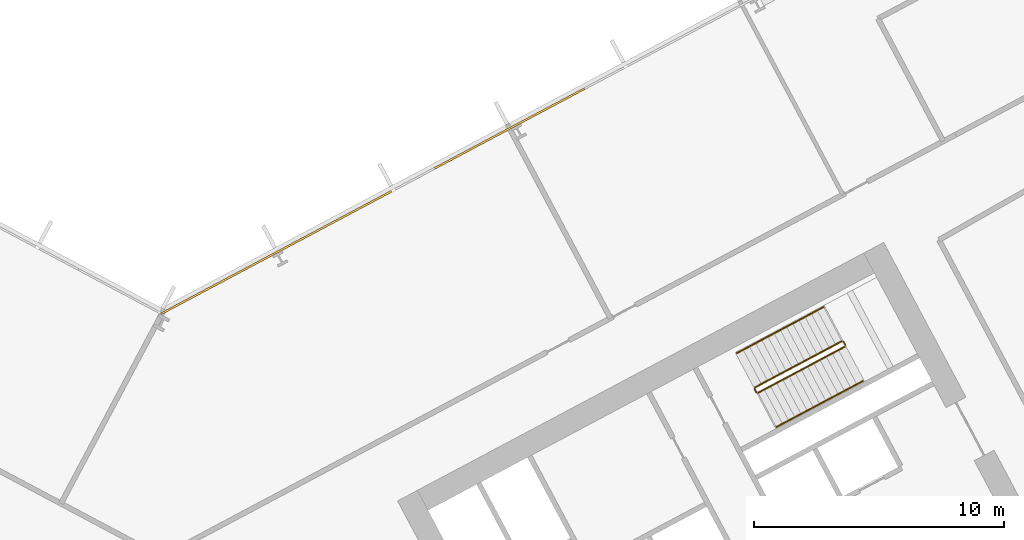
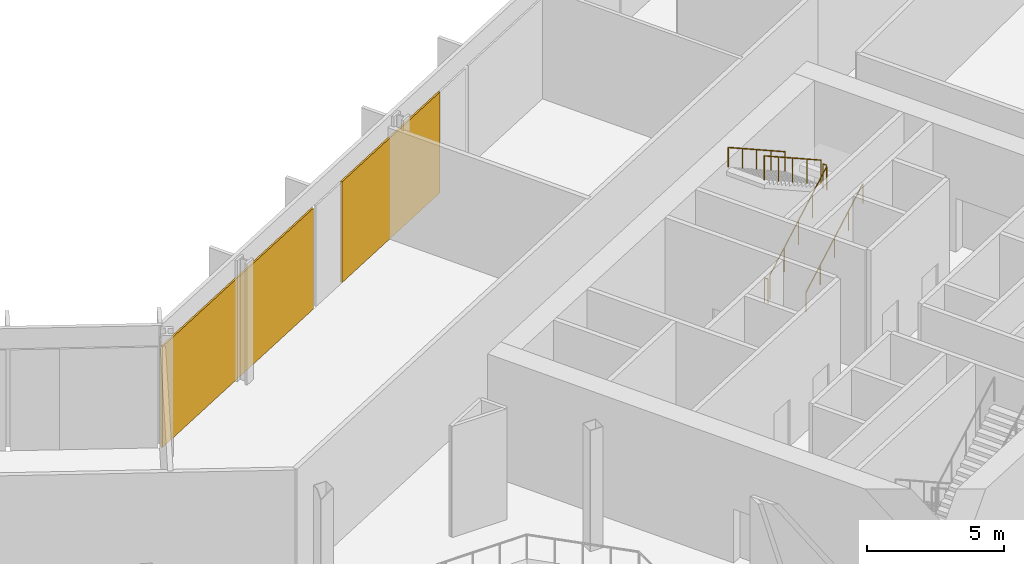
# One storey, part 28 of 30: 6 railings, 2 coverings, 1 element without a shape of its own.
"""IFC4 building model written with IfcOpenShell, lengths in metres."""

from ifc_helpers import new_model, si_unit, direction, frame, origin, origin_2d, place, context, subcontext, project, spatial, polyline, rectangle, outline, extrude, material, layer, layer_set, type_object, element, aggregate, save


model = new_model("IFC4")

# Units and contexts
model_context = context("Model", 3, precision=1e-05, world=origin(), true_north=direction((0.0, 1.0)))
body_context = subcontext(model_context, "Body", "Model", "MODEL_VIEW")
ifc_project = project(units=[si_unit("LENGTHUNIT", "METRE"), si_unit("AREAUNIT", "SQUARE_METRE"), si_unit("VOLUMEUNIT", "CUBIC_METRE"), si_unit("PLANEANGLEUNIT", "RADIAN"), si_unit("MASSUNIT", "GRAM", prefix="KILO")], contexts=[model_context])

# Site, building, storey
site_placement = place(None, origin())
site = spatial("IfcSite", under=ifc_project, at=site_placement, CompositionType="ELEMENT")
building_placement = place(site_placement, origin())
building = spatial("IfcBuilding", under=site, at=building_placement, Name="Cormorant Relay Tower", CompositionType="ELEMENT")
storey_placement = place(building_placement, frame((0.0, 0.0, 55.39990234375)))
storey = spatial("IfcBuildingStorey", under=building, at=storey_placement, Name="L10", CompositionType="ELEMENT", Elevation=55.39990234375)

# Curtain wall, coverings
ifc_material_1 = material(Name="Aluminium 6063-T6 anodised bronze", Category="aluminium")
ifc_layer_1 = layer(ifc_material_1, 0.235107421875)
ifc_layer_set_1 = layer_set([ifc_layer_1], Name="CW6 data hall curtain wall with mineral wool panels")
curtain_wall_type = type_object("IfcCurtainWallType", Name="CW6 data hall curtain wall with mineral wool panels", PredefinedType="NOTDEFINED", material=ifc_layer_set_1)
curtain_wall_placement = place(storey_placement, origin())
curtain_wall = element("IfcCurtainWall", 1, at=curtain_wall_placement, inside=storey, type_object=curtain_wall_type, Name="CW6 curtain wall 6", PredefinedType="NOTDEFINED")
ifc_material_2 = material(Name="Mineral wool cored anodised bronze aluminium cassette panel", Category="aluminium")
ifc_layer_2 = layer(ifc_material_2, 0.074951171875)
ifc_layer_set_2 = layer_set([ifc_layer_2], Name="CW6 mineral wool cassette panel 75")
covering_type = type_object("IfcCoveringType", Name="CW6 mineral wool cassette panel 75", PredefinedType="CLADDING", material=ifc_layer_set_2)
covering_1_placement = place(storey_placement, frame((13.9091796875, 31.221923828125, 0.0), z_axis=(0.0, 0.0, 1.0), x_axis=(-0.882947592859, -0.469471562786, 0.0)))
covering_1 = element("IfcCovering", 2, at=covering_1_placement, type_object=covering_type, Name="CW6 panel S07", PredefinedType="CLADDING", context=body_context, shape_type="SweptSolid", body=[
    extrude(rectangle(XDim=6.765380859375, YDim=0.074951171875, at=origin_2d()), origin(), (0.0, 0.0, 1.0), 4.5),
])
covering_2_placement = place(storey_placement, frame((4.591552734375, 26.267822265625, 0.0), z_axis=(0.0, 0.0, 1.0), x_axis=(-0.882947592859, -0.469471562786, 0.0)))
covering_2 = element("IfcCovering", 3, at=covering_2_placement, type_object=covering_type, Name="CW6 panel S09", PredefinedType="CLADDING", context=body_context, shape_type="SweptSolid", body=[
    extrude(rectangle(XDim=10.440185546875, YDim=0.074951171875, at=origin_2d()), origin(), (0.0, 0.0, 1.0), 4.5),
])
aggregate(curtain_wall, [covering_1, covering_2])

# Railings
ifc_material_3 = material(Name="Steel ASTM A572 Grade 50 (Fy 345 MPa)", Category="steel")
railing_type_1 = type_object("IfcRailingType", Name="Stair guard 1100", PredefinedType="GUARDRAIL", material=ifc_material_3)
railing_1_placement = place(storey_placement, frame((23.8408203125, 20.6611328125, 0.18017578125)))
element("IfcRailing", 4, at=railing_1_placement, inside=storey, type_object=railing_type_1, Name="L10 B2 stair guard 1", PredefinedType="GUARDRAIL", context=body_context, shape_type="SweptSolid", body=[
    extrude(outline(polyline([(0.022216796875, 0.00927734375), (0.00927734375, 0.022216796875), (-0.00927734375, 0.022216796875), (-0.022216796875, 0.00927734375), (-0.022216796875, -0.00927734375), (-0.00927734375, -0.022216796875), (0.00927734375, -0.022216796875), (0.022216796875, -0.00927734375), (0.022216796875, 0.00927734375)])), frame((0.0, 0.0, 1.076171875), z_axis=(0.74271721126, 0.394907409077, 0.540758062681), x_axis=(-0.469469396681, 0.882948744594, 0.0)), (0.0, 0.0, 1.0), 4.66015625),
    extrude(outline(polyline([(0.019287109375, 0.008056640625), (0.008056640625, 0.019287109375), (-0.008056640625, 0.019287109375), (-0.019287109375, 0.008056640625), (-0.019287109375, -0.008056640625), (-0.008056640625, -0.019287109375), (0.008056640625, -0.019287109375), (0.019287109375, -0.008056640625), (0.019287109375, 0.008056640625)])), origin(), (0.0, 0.0, 1.0), 1.052001953125),
    extrude(outline(polyline([(0.019287109375, 0.008056640625), (0.008056640625, 0.019287109375), (-0.008056640625, 0.019287109375), (-0.019287109375, 0.008056640625), (-0.019287109375, -0.008056640625), (-0.008056640625, -0.019287109375), (0.008056640625, -0.019287109375), (0.019287109375, -0.008056640625), (0.019287109375, 0.008056640625)])), frame((0.865234375, 0.4599609375, 0.6298828125)), (0.0, 0.0, 1.0), 1.052001953125),
    extrude(outline(polyline([(0.019287109375, 0.008056640625), (0.008056640625, 0.019287109375), (-0.008056640625, 0.019287109375), (-0.019287109375, 0.008056640625), (-0.019287109375, -0.008056640625), (-0.008056640625, -0.019287109375), (0.008056640625, -0.019287109375), (0.019287109375, -0.008056640625), (0.019287109375, 0.008056640625)])), frame((1.73046875, 0.920166015625, 1.260009765625)), (0.0, 0.0, 1.0), 1.052001953125),
    extrude(outline(polyline([(0.019287109375, 0.008056640625), (0.008056640625, 0.019287109375), (-0.008056640625, 0.019287109375), (-0.019287109375, 0.008056640625), (-0.019287109375, -0.008056640625), (-0.008056640625, -0.019287109375), (0.008056640625, -0.019287109375), (0.019287109375, -0.008056640625), (0.019287109375, 0.008056640625)])), frame((2.595947265625, 1.38037109375, 1.89013671875)), (0.0, 0.0, 1.0), 1.052001953125),
    extrude(outline(polyline([(0.019287109375, 0.008056640625), (0.008056640625, 0.019287109375), (-0.008056640625, 0.019287109375), (-0.019287109375, 0.008056640625), (-0.019287109375, -0.008056640625), (-0.008056640625, -0.019287109375), (0.008056640625, -0.019287109375), (0.019287109375, -0.008056640625), (0.019287109375, 0.008056640625)])), frame((3.461181640625, 1.84033203125, 2.52001953125)), (0.0, 0.0, 1.0), 1.052001953125),
])
railing_2_placement = place(storey_placement, frame((27.32275390625, 22.569091796875, 2.7001953125)))
element("IfcRailing", 5, at=railing_2_placement, inside=storey, type_object=railing_type_1, Name="L10 B2 stair guard 2", PredefinedType="GUARDRAIL", context=body_context, shape_type="SweptSolid", body=[
    extrude(outline(polyline([(0.022216796875, 0.00927734375), (0.00927734375, 0.022216796875), (-0.00927734375, 0.022216796875), (-0.022216796875, 0.00927734375), (-0.022216796875, -0.00927734375), (-0.00927734375, -0.022216796875), (0.00927734375, -0.022216796875), (0.022216796875, -0.00927734375), (0.022216796875, 0.00927734375)])), frame((0.0, 0.0, 1.076171875), z_axis=(-0.470503732759, 0.882398003998, 0.0), x_axis=(-0.882398003998, -0.470503732759, 0.0)), (0.0, 0.0, 1.0), 0.14990234375),
    extrude(outline(polyline([(0.019287109375, 0.008056640625), (0.008056640625, 0.019287109375), (-0.008056640625, 0.019287109375), (-0.019287109375, 0.008056640625), (-0.019287109375, -0.008056640625), (-0.008056640625, -0.019287109375), (0.008056640625, -0.019287109375), (0.019287109375, -0.008056640625), (0.019287109375, 0.008056640625)])), origin(), (0.0, 0.0, 1.0), 1.052001953125),
    extrude(outline(polyline([(0.019287109375, 0.008056640625), (0.008056640625, 0.019287109375), (-0.008056640625, 0.019287109375), (-0.019287109375, 0.008056640625), (-0.019287109375, -0.008056640625), (-0.008056640625, -0.019287109375), (0.008056640625, -0.019287109375), (0.019287109375, -0.008056640625), (0.019287109375, 0.008056640625)])), frame((-0.070556640625, 0.13232421875, 0.0)), (0.0, 0.0, 1.0), 1.052001953125),
])
railing_3_placement = place(storey_placement, frame((27.1845703125, 22.72216796875, 2.880126953125)))
element("IfcRailing", 6, at=railing_3_placement, inside=storey, type_object=railing_type_1, Name="L10 B2 stair guard 3", PredefinedType="GUARDRAIL", context=body_context, shape_type="SweptSolid", body=[
    extrude(outline(polyline([(0.022216796875, 0.00927734375), (0.00927734375, 0.022216796875), (-0.00927734375, 0.022216796875), (-0.022216796875, 0.00927734375), (-0.022216796875, -0.00927734375), (-0.00927734375, -0.022216796875), (0.00927734375, -0.022216796875), (0.022216796875, -0.00927734375), (0.022216796875, 0.00927734375)])), frame((0.0, 0.0, 1.076171875), z_axis=(-0.74271721126, -0.394907409077, 0.540758062681), x_axis=(0.469469396681, -0.882948744594, 0.0)), (0.0, 0.0, 1.0), 4.66015625),
    extrude(outline(polyline([(0.019287109375, 0.008056640625), (0.008056640625, 0.019287109375), (-0.008056640625, 0.019287109375), (-0.019287109375, 0.008056640625), (-0.019287109375, -0.008056640625), (-0.008056640625, -0.019287109375), (0.008056640625, -0.019287109375), (0.019287109375, -0.008056640625), (0.019287109375, 0.008056640625)])), origin(), (0.0, 0.0, 1.0), 1.052001953125),
    extrude(outline(polyline([(0.019287109375, 0.008056640625), (0.008056640625, 0.019287109375), (-0.008056640625, 0.019287109375), (-0.019287109375, 0.008056640625), (-0.019287109375, -0.008056640625), (-0.008056640625, -0.019287109375), (0.008056640625, -0.019287109375), (0.019287109375, -0.008056640625), (0.019287109375, 0.008056640625)])), frame((-0.865234375, -0.4599609375, 0.6298828125)), (0.0, 0.0, 1.0), 1.052001953125),
    extrude(outline(polyline([(0.019287109375, 0.008056640625), (0.008056640625, 0.019287109375), (-0.008056640625, 0.019287109375), (-0.019287109375, 0.008056640625), (-0.019287109375, -0.008056640625), (-0.008056640625, -0.019287109375), (0.008056640625, -0.019287109375), (0.019287109375, -0.008056640625), (0.019287109375, 0.008056640625)])), frame((-1.73046875, -0.920166015625, 1.260009765625)), (0.0, 0.0, 1.0), 1.052001953125),
    extrude(outline(polyline([(0.019287109375, 0.008056640625), (0.008056640625, 0.019287109375), (-0.008056640625, 0.019287109375), (-0.019287109375, 0.008056640625), (-0.019287109375, -0.008056640625), (-0.008056640625, -0.019287109375), (0.008056640625, -0.019287109375), (0.019287109375, -0.008056640625), (0.019287109375, 0.008056640625)])), frame((-2.595947265625, -1.38037109375, 1.89013671875)), (0.0, 0.0, 1.0), 1.052001953125),
    extrude(outline(polyline([(0.019287109375, 0.008056640625), (0.008056640625, 0.019287109375), (-0.008056640625, 0.019287109375), (-0.019287109375, 0.008056640625), (-0.019287109375, -0.008056640625), (-0.008056640625, -0.019287109375), (0.008056640625, -0.019287109375), (0.019287109375, -0.008056640625), (0.019287109375, 0.008056640625)])), frame((-3.461181640625, -1.84033203125, 2.52001953125)), (0.0, 0.0, 1.0), 1.052001953125),
])
railing_4_placement = place(storey_placement, frame((23.773193359375, 20.681640625, 0.0)))
element("IfcRailing", 7, at=railing_4_placement, inside=storey, type_object=railing_type_1, Name="L10 B2 stair guard 4", PredefinedType="GUARDRAIL", context=body_context, shape_type="SweptSolid", body=[
    extrude(outline(polyline([(0.022216796875, 0.00927734375), (0.00927734375, 0.022216796875), (-0.00927734375, 0.022216796875), (-0.022216796875, 0.00927734375), (-0.022216796875, -0.00927734375), (-0.00927734375, -0.022216796875), (0.00927734375, -0.022216796875), (0.022216796875, -0.00927734375), (0.022216796875, 0.00927734375)])), frame((0.0, 0.0, 1.076171875), z_axis=(-0.46856034887, 0.8834314911, 0.0), x_axis=(-0.8834314911, -0.46856034887, 0.0)), (0.0, 0.0, 1.0), 0.150146484375),
    extrude(outline(polyline([(0.019287109375, 0.008056640625), (0.008056640625, 0.019287109375), (-0.008056640625, 0.019287109375), (-0.019287109375, 0.008056640625), (-0.019287109375, -0.008056640625), (-0.008056640625, -0.019287109375), (0.008056640625, -0.019287109375), (0.019287109375, -0.008056640625), (0.019287109375, 0.008056640625)])), origin(), (0.0, 0.0, 1.0), 1.052001953125),
    extrude(outline(polyline([(0.019287109375, 0.008056640625), (0.008056640625, 0.019287109375), (-0.008056640625, 0.019287109375), (-0.019287109375, 0.008056640625), (-0.019287109375, -0.008056640625), (-0.008056640625, -0.019287109375), (0.008056640625, -0.019287109375), (0.019287109375, -0.008056640625), (0.019287109375, 0.008056640625)])), frame((-0.0703125, 0.132568359375, 0.0)), (0.0, 0.0, 1.0), 1.052001953125),
])
ifc_material_4 = material(Name="Steel ASTM A572 Grade 50 (Fy 345 MPa)", Category="steel")
railing_type_2 = type_object("IfcRailingType", Name="Stair handrail 900", PredefinedType="HANDRAIL", material=ifc_material_4)
railing_5_placement = place(storey_placement, frame((24.568603515625, 19.29248046875, 0.18017578125)))
element("IfcRailing", 8, at=railing_5_placement, inside=storey, type_object=railing_type_2, Name="L10 B2 stair handrail 1", PredefinedType="HANDRAIL", context=body_context, shape_type="SweptSolid", body=[
    extrude(outline(polyline([(0.022216796875, 0.00927734375), (0.00927734375, 0.022216796875), (-0.00927734375, 0.022216796875), (-0.022216796875, 0.00927734375), (-0.022216796875, -0.00927734375), (-0.00927734375, -0.022216796875), (0.00927734375, -0.022216796875), (0.022216796875, -0.00927734375), (0.022216796875, 0.00927734375)])), frame((0.0, 0.0, 0.8759765625), z_axis=(0.74271721126, 0.394907409077, 0.540758062681), x_axis=(-0.469469396681, 0.882948744594, 0.0)), (0.0, 0.0, 1.0), 4.66015625),
    extrude(outline(polyline([(0.019287109375, 0.008056640625), (0.008056640625, 0.019287109375), (-0.008056640625, 0.019287109375), (-0.019287109375, 0.008056640625), (-0.019287109375, -0.008056640625), (-0.008056640625, -0.019287109375), (0.008056640625, -0.019287109375), (0.019287109375, -0.008056640625), (0.019287109375, 0.008056640625)])), origin(), (0.0, 0.0, 1.0), 0.851806640625),
    extrude(outline(polyline([(0.019287109375, 0.008056640625), (0.008056640625, 0.019287109375), (-0.008056640625, 0.019287109375), (-0.019287109375, 0.008056640625), (-0.019287109375, -0.008056640625), (-0.008056640625, -0.019287109375), (0.008056640625, -0.019287109375), (0.019287109375, -0.008056640625), (0.019287109375, 0.008056640625)])), frame((0.865234375, 0.4599609375, 0.6298828125)), (0.0, 0.0, 1.0), 0.851806640625),
    extrude(outline(polyline([(0.019287109375, 0.008056640625), (0.008056640625, 0.019287109375), (-0.008056640625, 0.019287109375), (-0.019287109375, 0.008056640625), (-0.019287109375, -0.008056640625), (-0.008056640625, -0.019287109375), (0.008056640625, -0.019287109375), (0.019287109375, -0.008056640625), (0.019287109375, 0.008056640625)])), frame((1.73046875, 0.920166015625, 1.260009765625)), (0.0, 0.0, 1.0), 0.851806640625),
    extrude(outline(polyline([(0.019287109375, 0.008056640625), (0.008056640625, 0.019287109375), (-0.008056640625, 0.019287109375), (-0.019287109375, 0.008056640625), (-0.019287109375, -0.008056640625), (-0.008056640625, -0.019287109375), (0.008056640625, -0.019287109375), (0.019287109375, -0.008056640625), (0.019287109375, 0.008056640625)])), frame((2.595947265625, 1.38037109375, 1.89013671875)), (0.0, 0.0, 1.0), 0.851806640625),
    extrude(outline(polyline([(0.019287109375, 0.008056640625), (0.008056640625, 0.019287109375), (-0.008056640625, 0.019287109375), (-0.019287109375, 0.008056640625), (-0.019287109375, -0.008056640625), (-0.008056640625, -0.019287109375), (0.008056640625, -0.019287109375), (0.019287109375, -0.008056640625), (0.019287109375, 0.008056640625)])), frame((3.461181640625, 1.84033203125, 2.52001953125)), (0.0, 0.0, 1.0), 0.851806640625),
])
railing_6_placement = place(storey_placement, frame((26.45703125, 24.090576171875, 2.880126953125)))
element("IfcRailing", 9, at=railing_6_placement, inside=storey, type_object=railing_type_2, Name="L10 B2 stair handrail 2", PredefinedType="HANDRAIL", context=body_context, shape_type="SweptSolid", body=[
    extrude(outline(polyline([(0.022216796875, 0.00927734375), (0.00927734375, 0.022216796875), (-0.00927734375, 0.022216796875), (-0.022216796875, 0.00927734375), (-0.022216796875, -0.00927734375), (-0.00927734375, -0.022216796875), (0.00927734375, -0.022216796875), (0.022216796875, -0.00927734375), (0.022216796875, 0.00927734375)])), frame((0.0, 0.0, 0.8759765625), z_axis=(-0.74271721126, -0.394907409077, 0.540758062681), x_axis=(0.469469396681, -0.882948744594, 0.0)), (0.0, 0.0, 1.0), 4.66015625),
    extrude(outline(polyline([(0.019287109375, 0.008056640625), (0.008056640625, 0.019287109375), (-0.008056640625, 0.019287109375), (-0.019287109375, 0.008056640625), (-0.019287109375, -0.008056640625), (-0.008056640625, -0.019287109375), (0.008056640625, -0.019287109375), (0.019287109375, -0.008056640625), (0.019287109375, 0.008056640625)])), origin(), (0.0, 0.0, 1.0), 0.851806640625),
    extrude(outline(polyline([(0.019287109375, 0.008056640625), (0.008056640625, 0.019287109375), (-0.008056640625, 0.019287109375), (-0.019287109375, 0.008056640625), (-0.019287109375, -0.008056640625), (-0.008056640625, -0.019287109375), (0.008056640625, -0.019287109375), (0.019287109375, -0.008056640625), (0.019287109375, 0.008056640625)])), frame((-0.865234375, -0.4599609375, 0.6298828125)), (0.0, 0.0, 1.0), 0.851806640625),
    extrude(outline(polyline([(0.019287109375, 0.008056640625), (0.008056640625, 0.019287109375), (-0.008056640625, 0.019287109375), (-0.019287109375, 0.008056640625), (-0.019287109375, -0.008056640625), (-0.008056640625, -0.019287109375), (0.008056640625, -0.019287109375), (0.019287109375, -0.008056640625), (0.019287109375, 0.008056640625)])), frame((-1.73046875, -0.920166015625, 1.260009765625)), (0.0, 0.0, 1.0), 0.851806640625),
    extrude(outline(polyline([(0.019287109375, 0.008056640625), (0.008056640625, 0.019287109375), (-0.008056640625, 0.019287109375), (-0.019287109375, 0.008056640625), (-0.019287109375, -0.008056640625), (-0.008056640625, -0.019287109375), (0.008056640625, -0.019287109375), (0.019287109375, -0.008056640625), (0.019287109375, 0.008056640625)])), frame((-2.595947265625, -1.38037109375, 1.89013671875)), (0.0, 0.0, 1.0), 0.851806640625),
    extrude(outline(polyline([(0.019287109375, 0.008056640625), (0.008056640625, 0.019287109375), (-0.008056640625, 0.019287109375), (-0.019287109375, 0.008056640625), (-0.019287109375, -0.008056640625), (-0.008056640625, -0.019287109375), (0.008056640625, -0.019287109375), (0.019287109375, -0.008056640625), (0.019287109375, 0.008056640625)])), frame((-3.461181640625, -1.84033203125, 2.52001953125)), (0.0, 0.0, 1.0), 0.851806640625),
])

save(model, "model.ifc")
